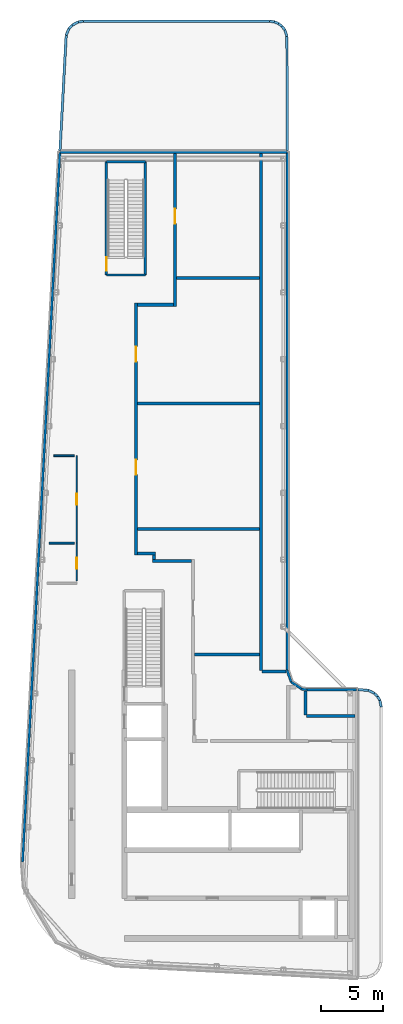
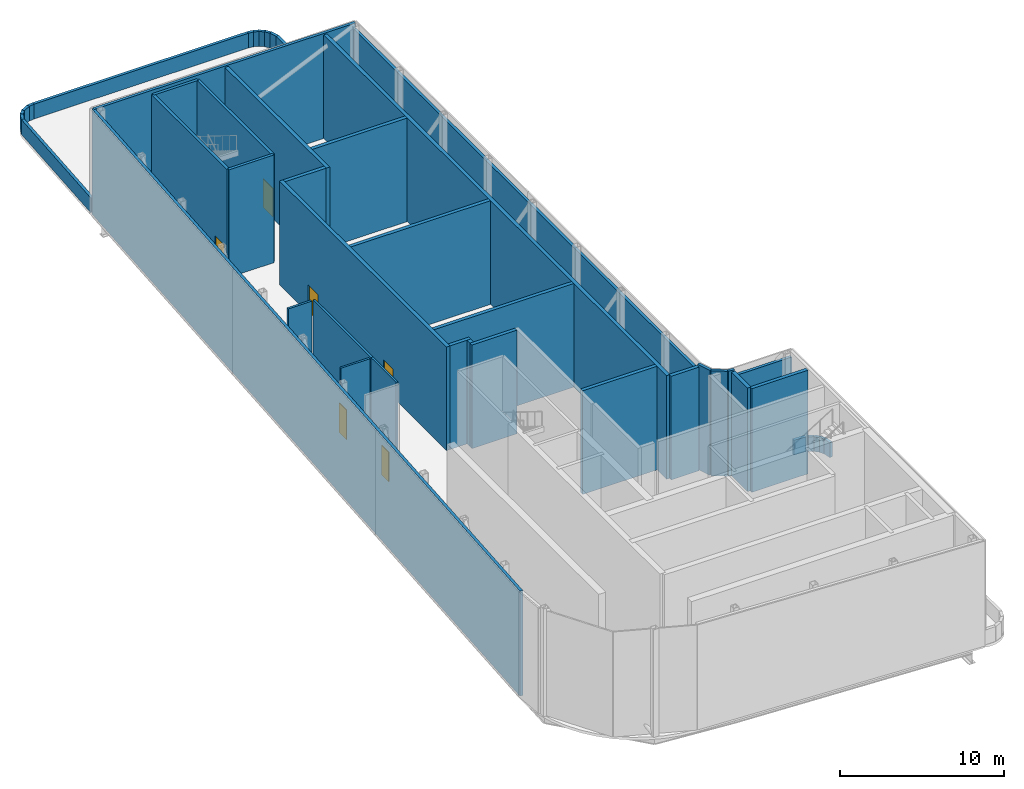
# One storey, part 5 of 10: 46 walls, 6 doors, 6 openings.
"""IFC4 building model written with IfcOpenShell, lengths in metres."""

from ifc_helpers import new_model, si_unit, direction, frame, frame_2d, origin, place, context, subcontext, project, spatial, rectangle, extrude, source, transform, mapped, material, layer, layer_set, type_object, element, fill, save


model = new_model("IFC4")

# Units and contexts
model_context = context("Model", 3, precision=1e-05, world=origin(), true_north=direction((0.0, 1.0)))
body_context = subcontext(model_context, "Body", "Model", "MODEL_VIEW")
ifc_project = project(units=[si_unit("LENGTHUNIT", "METRE"), si_unit("AREAUNIT", "SQUARE_METRE"), si_unit("VOLUMEUNIT", "CUBIC_METRE"), si_unit("PLANEANGLEUNIT", "RADIAN"), si_unit("MASSUNIT", "GRAM", prefix="KILO")], contexts=[model_context])

# Site, building, storey
site_placement = place(None, origin())
site = spatial("IfcSite", under=ifc_project, at=site_placement, CompositionType="ELEMENT")
building_placement = place(site_placement, origin())
building = spatial("IfcBuilding", under=site, at=building_placement, Name="Kheshtan School and Residences Tower", CompositionType="ELEMENT")
storey_placement = place(building_placement, frame((0.0, 0.0, 396.800048828125)))
storey = spatial("IfcBuildingStorey", under=building, at=storey_placement, Name="L93", CompositionType="ELEMENT", Elevation=396.800048828125)

# Walls
ifc_material_1 = material(Name="Concrete C40/50 with ceramic cladding and mineral wool insulation", Category="concrete")
ifc_layer_1 = layer(ifc_material_1, 0.199951171875)
ifc_layer_set_1 = layer_set([ifc_layer_1], Name="Plant enclosure wall 200")
wall_type_1 = type_object("IfcWallType", Name="Plant enclosure wall 200", PredefinedType="SOLIDWALL", material=ifc_layer_set_1)
wall_1_placement = place(storey_placement, frame((47.89990234375, 47.48291015625, 0.0), z_axis=(0.0, 0.0, 1.0), x_axis=(0.321712778194, -0.946837308278, 0.0)))
element("IfcWall", 1, at=wall_1_placement, inside=storey, type_object=wall_type_1, Name="Plant enclosure wall L93 1", PredefinedType="SOLIDWALL", context=body_context, shape_type="SweptSolid", body=[
    extrude(rectangle(XDim=1.013916015625, YDim=0.199951171875, at=frame_2d((0.5068359375, 0.0))), origin(), (0.0, 0.0, 1.0), 7.800048828125),
])
wall_2_placement = place(storey_placement, frame((48.22607421875, 46.52294921875, 0.0), z_axis=(0.0, 0.0, 1.0), x_axis=(0.831461870779, -0.555581818854, 0.0)))
element("IfcWall", 2, at=wall_2_placement, inside=storey, type_object=wall_type_1, Name="Plant enclosure wall L93 2", PredefinedType="SOLIDWALL", context=body_context, shape_type="SweptSolid", body=[
    extrude(rectangle(XDim=1.022216796875, YDim=0.199951171875, at=frame_2d((0.51123046875, 0.0))), origin(), (0.0, 0.0, 1.0), 7.800048828125),
])
wall_3_placement = place(storey_placement, frame((49.075927734375, 45.955078125, 0.0), z_axis=(0.0, 0.0, 1.0), x_axis=(0.991359206476, -0.131175164323, 0.0)))
element("IfcWall", 3, at=wall_3_placement, inside=storey, type_object=wall_type_1, Name="Plant enclosure wall L93 3", PredefinedType="SOLIDWALL", context=body_context, shape_type="SweptSolid", body=[
    extrude(rectangle(XDim=0.420654296875, YDim=0.199951171875, at=frame_2d((0.21044921875, 0.0))), origin(), (0.0, 0.0, 1.0), 7.800048828125),
])
wall_4_placement = place(storey_placement, frame((49.492919921875, 45.89990234375, 0.0), z_axis=(0.0, 0.0, 1.0), x_axis=(1.0, 0.0, 0.0)))
element("IfcWall", 4, at=wall_4_placement, inside=storey, type_object=wall_type_1, Name="Plant enclosure wall L93 4", PredefinedType="SOLIDWALL", context=body_context, shape_type="SweptSolid", body=[
    extrude(rectangle(XDim=4.007080078125, YDim=0.199951171875, at=frame_2d((2.00341796875, 0.0))), origin(), (0.0, 0.0, 1.0), 7.343017578125),
])
wall_5_placement = place(storey_placement, frame((26.52001953125, 31.989990234375, 0.0), z_axis=(0.0, 0.0, 1.0), x_axis=(0.052572230023, 0.998617124142, 0.0)))
element("IfcWall", 5, at=wall_5_placement, inside=storey, type_object=wall_type_1, Name="Plant enclosure wall L93 10", PredefinedType="SOLIDWALL", context=body_context, shape_type="SweptSolid", body=[
    extrude(rectangle(XDim=57.389404296875, YDim=0.199951171875, at=frame_2d((28.69482421875, 0.0))), origin(), (0.0, 0.0, 1.0), 7.800048828125),
])
wall_6_placement = place(storey_placement, frame((29.537109375, 89.300048828125, 0.0), z_axis=(0.0, 0.0, 1.0), x_axis=(1.0, 0.0, 0.0)))
element("IfcWall", 6, at=wall_6_placement, inside=storey, type_object=wall_type_1, Name="Plant enclosure wall L93 11", PredefinedType="SOLIDWALL", context=body_context, shape_type="SweptSolid", body=[
    extrude(rectangle(XDim=18.36279296875, YDim=0.199951171875, at=frame_2d((9.181396484375, 0.0))), origin(), (0.0, 0.0, 1.0), 7.800048828125),
])
wall_7_placement = place(storey_placement, frame((47.89990234375, 89.300048828125, 0.0), z_axis=(0.0, 0.0, 1.0), x_axis=(0.0, -1.0, 0.0)))
element("IfcWall", 7, at=wall_7_placement, inside=storey, type_object=wall_type_1, Name="Plant enclosure wall L93 12", PredefinedType="SOLIDWALL", context=body_context, shape_type="SweptSolid", body=[
    extrude(rectangle(XDim=41.817138671875, YDim=0.199951171875, at=frame_2d((20.90869140625, 0.0))), origin(), (0.0, 0.0, 1.0), 7.343017578125),
])

# Wall, openings, doors
ifc_material_2 = material(Name="Fire-board and steel stud wall with mineral wool", Category="steel")
ifc_layer_2 = layer(ifc_material_2, 0.25)
ifc_layer_set_2 = layer_set([ifc_layer_2], Name="Plant room wall 250")
wall_type_2 = type_object("IfcWallType", Name="Plant room wall 250", PredefinedType="PARTITIONING", material=ifc_layer_set_2)
wall_8_placement = place(storey_placement, frame((35.699951171875, 56.77490234375, 0.0), z_axis=(0.0, 0.0, 1.0), x_axis=(0.0, 1.0, 0.0)))
wall_8 = element("IfcWall", 8, at=wall_8_placement, inside=storey, type_object=wall_type_2, Name="Partition L93-001", PredefinedType="PARTITIONING", context=body_context, shape_type="SweptSolid", body=[
    extrude(rectangle(XDim=20.35009765625, YDim=0.25, at=frame_2d((10.175048828125, 0.0))), origin(), (0.0, 0.0, 1.0), 7.699951171875),
])
opening_1_placement = place(wall_8_placement, frame((6.4970703125, 0.0, 0.0)))
opening_1 = element("IfcOpeningElement", 9, at=opening_1_placement, cuts=wall_8, Name="Opening D93-004", PredefinedType="OPENING", context=body_context, shape_type="SweptSolid", body=[
    extrude(rectangle(XDim=1.199951171875, YDim=2.10009765625, at=frame_2d((0.60009765625, 1.050048828125))), frame((0.0, 0.135009765625, 0.0), z_axis=(0.0, -1.0, 0.0), x_axis=(1.0, 0.0, 0.0)), (0.0, 0.0, 1.0), 0.27001953125),
])
opening_2_placement = place(wall_8_placement, frame((15.633056640625, 0.0, 0.0)))
opening_2 = element("IfcOpeningElement", 10, at=opening_2_placement, cuts=wall_8, Name="Opening D93-005", PredefinedType="OPENING", context=body_context, shape_type="SweptSolid", body=[
    extrude(rectangle(XDim=1.199951171875, YDim=2.10009765625, at=frame_2d((0.60009765625, 1.050048828125))), frame((0.0, 0.135009765625, 0.0), z_axis=(0.0, -1.0, 0.0), x_axis=(1.0, 0.0, 0.0)), (0.0, 0.0, 1.0), 0.27001953125),
])
ifc_material_3 = material(Name="Steel-framed fire-resisting door leaf", Category="steel")
door_type_1 = type_object("IfcDoorType", Name="Fire door FD120 1200 x 2100", OperationType="SINGLE_SWING_LEFT", PredefinedType="DOOR", material=ifc_material_3)
shared_shape_1 = source(origin(), body_context, "Body", "SweptSolid", [
    extrude(rectangle(XDim=1.199951171875, YDim=2.10009765625, at=frame_2d((0.60009765625, 1.050048828125))), frame((0.0, 0.02490234375, 0.0), z_axis=(0.0, -1.0, 0.0), x_axis=(1.0, 0.0, 0.0)), (0.0, 0.0, 1.0), 0.050048828125),
])
door_1_placement = place(opening_1_placement, origin())
door_1 = element("IfcDoor", 11, at=door_1_placement, inside=storey, type_object=door_type_1, Name="Door D93-004", OperationType="SINGLE_SWING_RIGHT", OverallHeight=2.10009765625, OverallWidth=1.199951171875, PredefinedType="DOOR", context=body_context, shape_type="MappedRepresentation", body=[
    mapped(shared_shape_1, transform((0.0, 0.0, 0.0), x_axis=(1.0, 0.0, 0.0), y_axis=(0.0, 1.0, 0.0), z_axis=(0.0, 0.0, 1.0), scale=1.0)),
])
fill(opening_1, door_1)
door_2_placement = place(opening_2_placement, origin())
door_2 = element("IfcDoor", 12, at=door_2_placement, inside=storey, type_object=door_type_1, Name="Door D93-005", OperationType="SINGLE_SWING_LEFT", OverallHeight=2.10009765625, OverallWidth=1.199951171875, PredefinedType="DOOR", context=body_context, shape_type="MappedRepresentation", body=[
    mapped(shared_shape_1, transform((0.0, 0.0, 0.0), x_axis=(1.0, 0.0, 0.0), y_axis=(0.0, 1.0, 0.0), z_axis=(0.0, 0.0, 1.0), scale=1.0)),
])
fill(opening_2, door_2)

# Walls
wall_9_placement = place(storey_placement, frame((35.824951171875, 56.89990234375, 0.0), z_axis=(0.0, 0.0, 1.0), x_axis=(1.0, 0.0, 0.0)))
element("IfcWall", 13, at=wall_9_placement, inside=storey, type_object=wall_type_2, Name="Partition L93-002", PredefinedType="PARTITIONING", context=body_context, shape_type="SweptSolid", body=[
    extrude(rectangle(XDim=1.449951171875, YDim=0.25, at=frame_2d((0.72509765625, 0.0))), origin(), (0.0, 0.0, 1.0), 7.699951171875),
])
for number, where, z_axis, x_axis, name in (
    (14, (35.824951171875, 58.8720703125, 0.0), (0.0, 0.0, 1.0), (1.0, 0.0, 0.0), "Partition L93-003"),
    (15, (35.824951171875, 69.008056640625, 0.0), (0.0, 0.0, 1.0), (1.0, 0.0, 0.0), "Partition L93-004"),
):
    element("IfcWall", number, at=place(storey_placement, frame(where, z_axis=z_axis, x_axis=x_axis)), inside=storey, type_object=wall_type_2, Name=name, PredefinedType="PARTITIONING", context=body_context, shape_type="SweptSolid", body=[
        extrude(rectangle(XDim=9.830078125, YDim=0.25, at=frame_2d((4.9150390625, 0.0))), origin(), (0.0, 0.0, 1.0), 7.699951171875),
    ])
wall_10_placement = place(storey_placement, frame((35.824951171875, 77.0, 0.0), z_axis=(0.0, 0.0, 1.0), x_axis=(1.0, 0.0, 0.0)))
element("IfcWall", 16, at=wall_10_placement, inside=storey, type_object=wall_type_2, Name="Partition L93-005", PredefinedType="PARTITIONING", context=body_context, shape_type="SweptSolid", body=[
    extrude(rectangle(XDim=2.900146484375, YDim=0.25, at=frame_2d((1.4501953125, 0.0))), origin(), (0.0, 0.0, 1.0), 7.699951171875),
])
wall_11_placement = place(storey_placement, frame((37.02490234375, 56.31005859375, 0.0), z_axis=(0.0, 0.0, 1.0), x_axis=(1.0, 0.0, 0.0)))
element("IfcWall", 17, at=wall_11_placement, inside=storey, type_object=wall_type_2, Name="Partition L93-006", PredefinedType="PARTITIONING", context=body_context, shape_type="SweptSolid", body=[
    extrude(rectangle(XDim=3.150146484375, YDim=0.25, at=frame_2d((1.5751953125, 0.0))), origin(), (0.0, 0.0, 1.0), 7.699951171875),
])
wall_12_placement = place(storey_placement, frame((37.14990234375, 56.43505859375, 0.0), z_axis=(0.0, 0.0, 1.0), x_axis=(0.0, 1.0, 0.0)))
element("IfcWall", 18, at=wall_12_placement, inside=storey, type_object=wall_type_2, Name="Partition L93-007", PredefinedType="PARTITIONING", context=body_context, shape_type="SweptSolid", body=[
    extrude(rectangle(XDim=0.33984375, YDim=0.25, at=frame_2d((0.169921875, 0.0))), origin(), (0.0, 0.0, 1.0), 7.699951171875),
])

# Wall, opening, door
wall_13_placement = place(storey_placement, frame((38.85009765625, 76.875, 0.0), z_axis=(0.0, 0.0, 1.0), x_axis=(0.0, 1.0, 0.0)))
wall_13 = element("IfcWall", 19, at=wall_13_placement, inside=storey, type_object=wall_type_2, Name="Partition L93-008", PredefinedType="PARTITIONING", context=body_context, shape_type="SweptSolid", body=[
    extrude(rectangle(XDim=12.325927734375, YDim=0.25, at=frame_2d((6.1630859375, 0.0))), origin(), (0.0, 0.0, 1.0), 7.699951171875),
])
opening_3_placement = place(wall_13_placement, frame((6.6689453125, 0.0, 0.0)))
opening_3 = element("IfcOpeningElement", 20, at=opening_3_placement, cuts=wall_13, Name="Opening D93-006", PredefinedType="OPENING", context=body_context, shape_type="SweptSolid", body=[
    extrude(rectangle(XDim=1.199951171875, YDim=2.10009765625, at=frame_2d((0.60009765625, 1.050048828125))), frame((0.0, 0.135009765625, 0.0), z_axis=(0.0, -1.0, 0.0), x_axis=(1.0, 0.0, 0.0)), (0.0, 0.0, 1.0), 0.27001953125),
])
door_3_placement = place(opening_3_placement, origin())
door_3 = element("IfcDoor", 21, at=door_3_placement, inside=storey, type_object=door_type_1, Name="Door D93-006", OperationType="SINGLE_SWING_RIGHT", OverallHeight=2.10009765625, OverallWidth=1.199951171875, PredefinedType="DOOR", context=body_context, shape_type="MappedRepresentation", body=[
    mapped(shared_shape_1, transform((0.0, 0.0, 0.0), x_axis=(1.0, 0.0, 0.0), y_axis=(0.0, 1.0, 0.0), z_axis=(0.0, 0.0, 1.0), scale=1.0)),
])
fill(opening_3, door_3)

# Walls
wall_14_placement = place(storey_placement, frame((38.97509765625, 79.14404296875, 0.0), z_axis=(0.0, 0.0, 1.0), x_axis=(1.0, 0.0, 0.0)))
element("IfcWall", 22, at=wall_14_placement, inside=storey, type_object=wall_type_2, Name="Partition L93-009", PredefinedType="PARTITIONING", context=body_context, shape_type="SweptSolid", body=[
    extrude(rectangle(XDim=6.679931640625, YDim=0.25, at=frame_2d((3.33984375, 0.0))), origin(), (0.0, 0.0, 1.0), 7.699951171875),
])
wall_15_placement = place(storey_placement, frame((40.425048828125, 48.736083984375, 0.0), z_axis=(0.0, 0.0, 1.0), x_axis=(1.0, 0.0, 0.0)))
element("IfcWall", 23, at=wall_15_placement, inside=storey, type_object=wall_type_2, Name="Partition L93-012", PredefinedType="PARTITIONING", context=body_context, shape_type="SweptSolid", body=[
    extrude(rectangle(XDim=5.22998046875, YDim=0.25, at=frame_2d((2.614990234375, 0.0))), origin(), (0.0, 0.0, 1.0), 7.699951171875),
])
wall_16_placement = place(storey_placement, frame((45.780029296875, 47.450927734375, 0.0), z_axis=(0.0, 0.0, 1.0), x_axis=(0.0, 1.0, 0.0)))
element("IfcWall", 24, at=wall_16_placement, inside=storey, type_object=wall_type_2, Name="Partition L93-015", PredefinedType="PARTITIONING", context=body_context, shape_type="SweptSolid", body=[
    extrude(rectangle(XDim=41.75, YDim=0.25, at=frame_2d((20.875, 0.0))), origin(), (0.0, 0.0, 1.0), 7.699951171875),
])
for number, where, z_axis, x_axis, name in (
    (25, (45.85107421875, 47.3798828125, 0.0), (0.0, 0.0, 1.0), (1.0, 0.0, 0.0), "Partition L93-016"),
    (26, (49.3798828125, 43.85107421875, 0.0), (0.0, 0.0, 1.0), (0.0, 1.0, 0.0), "Partition L93-019"),
):
    element("IfcWall", number, at=place(storey_placement, frame(where, z_axis=z_axis, x_axis=x_axis)), inside=storey, type_object=wall_type_2, Name=name, PredefinedType="PARTITIONING", context=body_context, shape_type="SweptSolid", body=[
        extrude(rectangle(XDim=1.949951171875, YDim=0.25, at=frame_2d((0.97509765625, 0.0))), origin(), (0.0, 0.0, 1.0), 7.699951171875),
    ])
wall_17_placement = place(storey_placement, frame((49.450927734375, 43.780029296875, 0.0), z_axis=(0.0, 0.0, 1.0), x_axis=(1.0, 0.0, 0.0)))
element("IfcWall", 27, at=wall_17_placement, inside=storey, type_object=wall_type_2, Name="Partition L93-020", PredefinedType="PARTITIONING", context=body_context, shape_type="SweptSolid", body=[
    extrude(rectangle(XDim=3.928955078125, YDim=0.25, at=frame_2d((1.96435546875, 0.0))), origin(), (0.0, 0.0, 1.0), 7.699951171875),
])
ifc_layer_3 = layer(ifc_material_1, 0.199951171875)
ifc_layer_set_3 = layer_set([ifc_layer_3], Name="Roof parapet 200")
wall_type_3 = type_object("IfcWallType", Name="Roof parapet 200", PredefinedType="PARAPET", material=ifc_layer_set_3)
wall_18_placement = place(storey_placement, frame((29.5439453125, 89.445068359375, 0.0), z_axis=(0.0, 0.0, 1.0), x_axis=(0.054142388043, 0.998533225194, 0.0)))
element("IfcWall", 28, at=wall_18_placement, inside=storey, type_object=wall_type_3, Name="Tip roof parapet 1.1", PredefinedType="PARAPET", context=body_context, shape_type="SweptSolid", body=[
    extrude(rectangle(XDim=9.32958984375, YDim=0.199951171875, at=frame_2d((4.664794921875, 0.0))), origin(), (0.0, 0.0, 1.0), 1.099853515625),
])
wall_19_placement = place(storey_placement, frame((30.049072265625, 98.760986328125, 0.0), z_axis=(0.0, 0.0, 1.0), x_axis=(0.386162978908, 0.92243056851, 0.0)))
element("IfcWall", 29, at=wall_19_placement, inside=storey, type_object=wall_type_3, Name="Tip roof parapet 1.2", PredefinedType="PARAPET", context=body_context, shape_type="SweptSolid", body=[
    extrude(rectangle(XDim=0.582275390625, YDim=0.199951171875, at=frame_2d((0.291015625, 0.0))), origin(), (0.0, 0.0, 1.0), 1.099853515625),
])
wall_20_placement = place(storey_placement, frame((30.27392578125, 99.298095703125, 0.0), z_axis=(0.0, 0.0, 1.0), x_axis=(0.67648352998, 0.736457760951, 0.0)))
element("IfcWall", 30, at=wall_20_placement, inside=storey, type_object=wall_type_3, Name="Tip roof parapet 1.3", PredefinedType="PARAPET", context=body_context, shape_type="SweptSolid", body=[
    extrude(rectangle(XDim=0.378662109375, YDim=0.199951171875, at=frame_2d((0.189453125, 0.0))), origin(), (0.0, 0.0, 1.0), 1.099853515625),
])
wall_21_placement = place(storey_placement, frame((30.530029296875, 99.576904296875, 0.0), z_axis=(0.0, 0.0, 1.0), x_axis=(0.886299934625, 0.463111677552, 0.0)))
element("IfcWall", 31, at=wall_21_placement, inside=storey, type_object=wall_type_3, Name="Tip roof parapet 1.4", PredefinedType="PARAPET", context=body_context, shape_type="SweptSolid", body=[
    extrude(rectangle(XDim=0.5810546875, YDim=0.199951171875, at=frame_2d((0.29052734375, 0.0))), origin(), (0.0, 0.0, 1.0), 1.099853515625),
])
wall_22_placement = place(storey_placement, frame((31.044921875, 99.845947265625, 0.0), z_axis=(0.0, 0.0, 1.0), x_axis=(0.990322767465, 0.138783342809, 0.0)))
element("IfcWall", 32, at=wall_22_placement, inside=storey, type_object=wall_type_3, Name="Tip roof parapet 1.5", PredefinedType="PARAPET", context=body_context, shape_type="SweptSolid", body=[
    extrude(rectangle(XDim=0.388671875, YDim=0.199951171875, at=frame_2d((0.1943359375, 0.0))), origin(), (0.0, 0.0, 1.0), 1.099853515625),
])
wall_23_placement = place(storey_placement, frame((31.429931640625, 99.89990234375, 0.0), z_axis=(0.0, 0.0, 1.0), x_axis=(1.0, 0.0, 0.0)))
element("IfcWall", 33, at=wall_23_placement, inside=storey, type_object=wall_type_3, Name="Tip roof parapet 1.6", PredefinedType="PARAPET", context=body_context, shape_type="SweptSolid", body=[
    extrude(rectangle(XDim=15.06298828125, YDim=0.199951171875, at=frame_2d((7.531494140625, 0.0))), origin(), (0.0, 0.0, 1.0), 1.099853515625),
])
wall_24_placement = place(storey_placement, frame((46.492919921875, 99.89990234375, 0.0), z_axis=(0.0, 0.0, 1.0), x_axis=(0.991702506662, -0.128554028641, 0.0)))
element("IfcWall", 34, at=wall_24_placement, inside=storey, type_object=wall_type_3, Name="Tip roof parapet 1.7", PredefinedType="PARAPET", context=body_context, shape_type="SweptSolid", body=[
    extrude(rectangle(XDim=0.372314453125, YDim=0.199951171875, at=frame_2d((0.18603515625, 0.0))), origin(), (0.0, 0.0, 1.0), 1.099853515625),
])
wall_25_placement = place(storey_placement, frame((46.862060546875, 99.85205078125, 0.0), z_axis=(0.0, 0.0, 1.0), x_axis=(0.923707553105, -0.383098363788, 0.0)))
element("IfcWall", 35, at=wall_25_placement, inside=storey, type_object=wall_type_3, Name="Tip roof parapet 1.8", PredefinedType="PARAPET", context=body_context, shape_type="SweptSolid", body=[
    extrude(rectangle(XDim=0.36572265625, YDim=0.199951171875, at=frame_2d((0.182861328125, 0.0))), origin(), (0.0, 0.0, 1.0), 1.099853515625),
])
wall_26_placement = place(storey_placement, frame((47.199951171875, 99.7119140625, 0.0), z_axis=(0.0, 0.0, 1.0), x_axis=(0.794187025627, -0.607673405972, 0.0)))
element("IfcWall", 36, at=wall_26_placement, inside=storey, type_object=wall_type_3, Name="Tip roof parapet 1.9", PredefinedType="PARAPET", context=body_context, shape_type="SweptSolid", body=[
    extrude(rectangle(XDim=0.365234375, YDim=0.199951171875, at=frame_2d((0.1826171875, 0.0))), origin(), (0.0, 0.0, 1.0), 1.099853515625),
])
wall_27_placement = place(storey_placement, frame((47.489990234375, 99.489990234375, 0.0), z_axis=(0.0, 0.0, 1.0), x_axis=(0.606874924799, -0.794797348794, 0.0)))
element("IfcWall", 37, at=wall_27_placement, inside=storey, type_object=wall_type_3, Name="Tip roof parapet 1.10", PredefinedType="PARAPET", context=body_context, shape_type="SweptSolid", body=[
    extrude(rectangle(XDim=0.362548828125, YDim=0.199951171875, at=frame_2d((0.18115234375, 0.0))), origin(), (0.0, 0.0, 1.0), 1.099853515625),
])
wall_28_placement = place(storey_placement, frame((47.7099609375, 99.201904296875, 0.0), z_axis=(0.0, 0.0, 1.0), x_axis=(0.320602278293, -0.94721390359, 0.0)))
element("IfcWall", 38, at=wall_28_placement, inside=storey, type_object=wall_type_3, Name="Tip roof parapet 1.11", PredefinedType="PARAPET", context=body_context, shape_type="SweptSolid", body=[
    extrude(rectangle(XDim=0.552001953125, YDim=0.199951171875, at=frame_2d((0.27587890625, 0.0))), origin(), (0.0, 0.0, 1.0), 1.099853515625),
])
wall_29_placement = place(storey_placement, frame((47.886962890625, 98.678955078125, 0.0), z_axis=(0.0, 0.0, 1.0), x_axis=(0.001402040842, -0.99999901714, 0.0)))
element("IfcWall", 39, at=wall_29_placement, inside=storey, type_object=wall_type_3, Name="Tip roof parapet 1.12", PredefinedType="PARAPET", context=body_context, shape_type="SweptSolid", body=[
    extrude(rectangle(XDim=9.22900390625, YDim=0.199951171875, at=frame_2d((4.614501953125, 0.0))), origin(), (0.0, 0.0, 1.0), 1.099853515625),
])
wall_30_placement = place(storey_placement, frame((53.64404296875, 45.89990234375, 0.0), z_axis=(0.0, 0.0, 1.0), x_axis=(0.998151008503, -0.060782927085, 0.0)))
element("IfcWall", 40, at=wall_30_placement, inside=storey, type_object=wall_type_3, Name="Tip roof parapet 2.1", PredefinedType="PARAPET", context=body_context, shape_type="SweptSolid", body=[
    extrude(rectangle(XDim=0.8193359375, YDim=0.199951171875, at=frame_2d((0.40966796875, 0.0))), origin(), (0.0, 0.0, 1.0), 1.099853515625),
])
wall_31_placement = place(storey_placement, frame((54.4619140625, 45.85009765625, 0.0), z_axis=(0.0, 0.0, 1.0), x_axis=(0.897257484736, -0.441507651219, 0.0)))
element("IfcWall", 41, at=wall_31_placement, inside=storey, type_object=wall_type_3, Name="Tip roof parapet 2.2", PredefinedType="PARAPET", context=body_context, shape_type="SweptSolid", body=[
    extrude(rectangle(XDim=0.548583984375, YDim=0.199951171875, at=frame_2d((0.2744140625, 0.0))), origin(), (0.0, 0.0, 1.0), 1.099853515625),
])
wall_32_placement = place(storey_placement, frame((54.9541015625, 45.60791015625, 0.0), z_axis=(0.0, 0.0, 1.0), x_axis=(0.707106781187, -0.707106781187, 0.0)))
element("IfcWall", 42, at=wall_32_placement, inside=storey, type_object=wall_type_3, Name="Tip roof parapet 2.3", PredefinedType="PARAPET", context=body_context, shape_type="SweptSolid", body=[
    extrude(rectangle(XDim=0.36181640625, YDim=0.199951171875, at=frame_2d((0.180908203125, 0.0))), origin(), (0.0, 0.0, 1.0), 1.099853515625),
])
wall_33_placement = place(storey_placement, frame((55.2099609375, 45.35205078125, 0.0), z_axis=(0.0, 0.0, 1.0), x_axis=(0.499761325023, -0.866163159002, 0.0)))
element("IfcWall", 43, at=wall_33_placement, inside=storey, type_object=wall_type_3, Name="Tip roof parapet 2.4", PredefinedType="PARAPET", context=body_context, shape_type="SweptSolid", body=[
    extrude(rectangle(XDim=0.362548828125, YDim=0.199951171875, at=frame_2d((0.18115234375, 0.0))), origin(), (0.0, 0.0, 1.0), 1.099853515625),
])
wall_34_placement = place(storey_placement, frame((55.39111328125, 45.0380859375, 0.0), z_axis=(0.0, 0.0, 1.0), x_axis=(0.194855695724, -0.980831921301, 0.0)))
element("IfcWall", 44, at=wall_34_placement, inside=storey, type_object=wall_type_3, Name="Tip roof parapet 2.5", PredefinedType="PARAPET", context=body_context, shape_type="SweptSolid", body=[
    extrude(rectangle(XDim=0.558837890625, YDim=0.199951171875, at=frame_2d((0.279296875, 0.0))), origin(), (0.0, 0.0, 1.0), 1.099853515625),
])

# Wall, opening, door
ifc_material_4 = material(Name="Fire-board shaft wall system")
ifc_layer_4 = layer(ifc_material_4, 0.14990234375)
ifc_layer_set_4 = layer_set([ifc_layer_4], Name="Service room wall 150")
wall_type_4 = type_object("IfcWallType", Name="Service room wall 150", PredefinedType="PARTITIONING", material=ifc_layer_set_4)
wall_35_placement = place(storey_placement, frame((30.89990234375, 54.695068359375, 0.0), z_axis=(0.0, 0.0, 1.0), x_axis=(0.0, 1.0, 0.0)))
wall_35 = element("IfcWall", 45, at=wall_35_placement, inside=storey, type_object=wall_type_4, Name="Service room wall", PredefinedType="PARTITIONING", context=body_context, shape_type="SweptSolid", body=[
    extrude(rectangle(XDim=3.044921875, YDim=0.14990234375, at=frame_2d((1.5224609375, 0.0))), origin(), (0.0, 0.0, 1.0), 8.0),
])
opening_4_placement = place(wall_35_placement, frame((0.97509765625, 0.0, 0.0)))
opening_4 = element("IfcOpeningElement", 46, at=opening_4_placement, cuts=wall_35, Name="Opening SR90", PredefinedType="OPENING", context=body_context, shape_type="SweptSolid", body=[
    extrude(rectangle(XDim=0.89990234375, YDim=2.199951171875, at=frame_2d((0.449951171875, 1.10009765625))), frame((0.0, 0.0849609375, 0.0), z_axis=(0.0, -1.0, 0.0), x_axis=(1.0, 0.0, 0.0)), (0.0, 0.0, 1.0), 0.169921875),
])
ifc_material_5 = material(Name="Steel door leaf, galvanised", Category="steel")
door_type_2 = type_object("IfcDoorType", Name="Service room door 900 steel 90 min", OperationType="SINGLE_SWING_LEFT", PredefinedType="DOOR", material=ifc_material_5)
shared_shape_2 = source(origin(), body_context, "Body", "SweptSolid", [
    extrude(rectangle(XDim=0.89990234375, YDim=2.199951171875, at=frame_2d((0.449951171875, 1.10009765625))), frame((0.0, 0.02490234375, 0.0), z_axis=(0.0, -1.0, 0.0), x_axis=(1.0, 0.0, 0.0)), (0.0, 0.0, 1.0), 0.050048828125),
])
door_4_placement = place(opening_4_placement, origin())
door_4 = element("IfcDoor", 47, at=door_4_placement, inside=storey, type_object=door_type_2, Name="Service room door", OperationType="SINGLE_SWING_LEFT", OverallHeight=2.199951171875, OverallWidth=0.89990234375, PredefinedType="DOOR", context=body_context, shape_type="MappedRepresentation", body=[
    mapped(shared_shape_2, transform((0.0, 0.0, 0.0), x_axis=(1.0, 0.0, 0.0), y_axis=(0.0, 1.0, 0.0), z_axis=(0.0, 0.0, 1.0), scale=1.0)),
])
fill(opening_4, door_4)

# Wall
wall_36_placement = place(storey_placement, frame((28.678955078125, 57.739990234375, 0.0), z_axis=(0.0, 0.0, 1.0), x_axis=(1.0, 0.0, 0.0)))
element("IfcWall", 48, at=wall_36_placement, inside=storey, type_object=wall_type_4, Name="Service room wall", PredefinedType="PARTITIONING", context=body_context, shape_type="SweptSolid", body=[
    extrude(rectangle(XDim=2.026123046875, YDim=0.14990234375, at=frame_2d((1.01318359375, 0.0))), origin(), (0.0, 0.0, 1.0), 8.0),
])

# Wall, opening, door
wall_37_placement = place(storey_placement, frame((30.89990234375, 57.739990234375, 0.0), z_axis=(0.0, 0.0, 1.0), x_axis=(0.0, 1.0, 0.0)))
wall_37 = element("IfcWall", 49, at=wall_37_placement, inside=storey, type_object=wall_type_4, Name="Service room wall", PredefinedType="PARTITIONING", context=body_context, shape_type="SweptSolid", body=[
    extrude(rectangle(XDim=7.06005859375, YDim=0.14990234375, at=frame_2d((3.530029296875, 0.0))), origin(), (0.0, 0.0, 1.0), 8.0),
])
opening_5_placement = place(wall_37_placement, frame((3.080078125, 0.0, 0.0)))
opening_5 = element("IfcOpeningElement", 50, at=opening_5_placement, cuts=wall_37, Name="Opening SR90", PredefinedType="OPENING", context=body_context, shape_type="SweptSolid", body=[
    extrude(rectangle(XDim=0.89990234375, YDim=2.199951171875, at=frame_2d((0.449951171875, 1.10009765625))), frame((0.0, 0.0849609375, 0.0), z_axis=(0.0, -1.0, 0.0), x_axis=(1.0, 0.0, 0.0)), (0.0, 0.0, 1.0), 0.169921875),
])
door_5_placement = place(opening_5_placement, origin())
door_5 = element("IfcDoor", 51, at=door_5_placement, inside=storey, type_object=door_type_2, Name="Service room door", OperationType="SINGLE_SWING_LEFT", OverallHeight=2.199951171875, OverallWidth=0.89990234375, PredefinedType="DOOR", context=body_context, shape_type="MappedRepresentation", body=[
    mapped(shared_shape_2, transform((0.0, 0.0, 0.0), x_axis=(1.0, 0.0, 0.0), y_axis=(0.0, 1.0, 0.0), z_axis=(0.0, 0.0, 1.0), scale=1.0)),
])
fill(opening_5, door_5)

# Walls
wall_38_placement = place(storey_placement, frame((29.050048828125, 64.800048828125, 0.0), z_axis=(0.0, 0.0, 1.0), x_axis=(1.0, 0.0, 0.0)))
element("IfcWall", 52, at=wall_38_placement, inside=storey, type_object=wall_type_4, Name="Service room wall", PredefinedType="PARTITIONING", context=body_context, shape_type="SweptSolid", body=[
    extrude(rectangle(XDim=1.655029296875, YDim=0.14990234375, at=frame_2d((0.82763671875, 0.0))), origin(), (0.0, 0.0, 1.0), 8.0),
])
ifc_material_6 = material(Name="Concrete C40/50", Category="concrete")
ifc_layer_5 = layer(ifc_material_6, 0.199951171875)
ifc_layer_set_5 = layer_set([ifc_layer_5], Name="Stair enclosure wall 200 Concrete C40/50")
wall_type_5 = type_object("IfcWallType", Name="Stair enclosure wall 200 Concrete C40/50", PredefinedType="SHEAR", material=ifc_layer_set_5)
for number, where, z_axis, x_axis, name in (
    (53, (33.300048828125, 79.39990234375, 0.0), (0.0, 0.0, 1.0), (1.0, 0.0, 0.0), "Stair enclosure wall ST3"),
    (54, (33.300048828125, 88.56005859375, 0.0), (0.0, 0.0, 1.0), (1.0, 0.0, 0.0), "Stair enclosure wall ST3"),
):
    element("IfcWall", number, at=place(storey_placement, frame(where, z_axis=z_axis, x_axis=x_axis)), inside=storey, type_object=wall_type_5, Name=name, PredefinedType="SHEAR", context=body_context, shape_type="SweptSolid", body=[
        extrude(rectangle(XDim=3.14990234375, YDim=0.199951171875, at=frame_2d((1.574951171875, 0.0))), origin(), (0.0, 0.0, 1.0), 8.0),
    ])

# Wall, opening, door
wall_39_placement = place(storey_placement, frame((33.300048828125, 79.39990234375, 0.0), z_axis=(0.0, 0.0, 1.0), x_axis=(0.0, 1.0, 0.0)))
wall_39 = element("IfcWall", 55, at=wall_39_placement, inside=storey, type_object=wall_type_5, Name="Stair enclosure wall ST3", PredefinedType="SHEAR", context=body_context, shape_type="SweptSolid", body=[
    extrude(rectangle(XDim=9.16015625, YDim=0.199951171875, at=frame_2d((4.580078125, 0.0))), origin(), (0.0, 0.0, 1.0), 8.0),
])
opening_6_placement = place(wall_39_placement, frame((0.35009765625, 0.0, 0.0)))
opening_6 = element("IfcOpeningElement", 56, at=opening_6_placement, cuts=wall_39, Name="Opening ST3D", PredefinedType="OPENING", context=body_context, shape_type="SweptSolid", body=[
    extrude(rectangle(XDim=1.10009765625, YDim=2.199951171875, at=frame_2d((0.550048828125, 1.10009765625))), frame((0.0, 0.10986328125, 0.0), z_axis=(0.0, -1.0, 0.0), x_axis=(1.0, 0.0, 0.0)), (0.0, 0.0, 1.0), 0.219970703125),
])
door_type_3 = type_object("IfcDoorType", Name="Stair door 1100 steel 90 min", OperationType="SINGLE_SWING_LEFT", PredefinedType="DOOR", material=ifc_material_5)
shared_shape_3 = source(origin(), body_context, "Body", "SweptSolid", [
    extrude(rectangle(XDim=1.10009765625, YDim=2.199951171875, at=frame_2d((0.550048828125, 1.10009765625))), frame((0.0, 0.02490234375, 0.0), z_axis=(0.0, -1.0, 0.0), x_axis=(1.0, 0.0, 0.0)), (0.0, 0.0, 1.0), 0.050048828125),
])
door_6_placement = place(opening_6_placement, origin())
door_6 = element("IfcDoor", 57, at=door_6_placement, inside=storey, type_object=door_type_3, Name="Stair ST3 door", OperationType="SINGLE_SWING_RIGHT", OverallHeight=2.199951171875, OverallWidth=1.10009765625, PredefinedType="DOOR", context=body_context, shape_type="MappedRepresentation", body=[
    mapped(shared_shape_3, transform((0.0, 0.0, 0.0), x_axis=(1.0, 0.0, 0.0), y_axis=(0.0, 1.0, 0.0), z_axis=(0.0, 0.0, 1.0), scale=1.0)),
])
fill(opening_6, door_6)

# Wall
wall_40_placement = place(storey_placement, frame((36.449951171875, 79.39990234375, 0.0), z_axis=(0.0, 0.0, 1.0), x_axis=(0.0, 1.0, 0.0)))
element("IfcWall", 58, at=wall_40_placement, inside=storey, type_object=wall_type_5, Name="Stair enclosure wall ST3", PredefinedType="SHEAR", context=body_context, shape_type="SweptSolid", body=[
    extrude(rectangle(XDim=9.16015625, YDim=0.199951171875, at=frame_2d((4.580078125, 0.0))), origin(), (0.0, 0.0, 1.0), 8.0),
])

save(model, "model.ifc")
